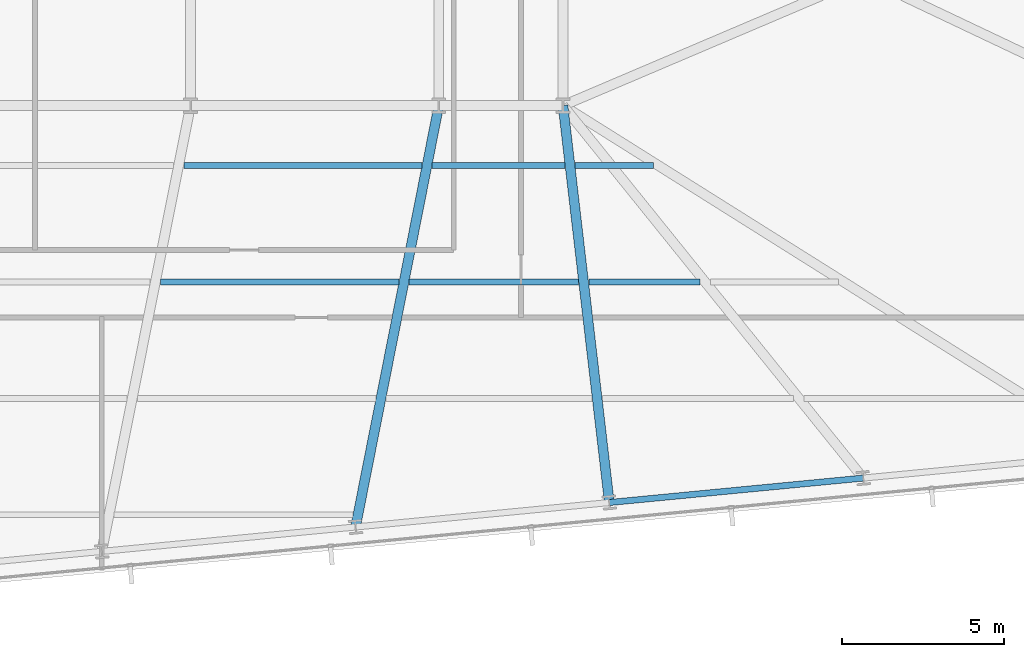
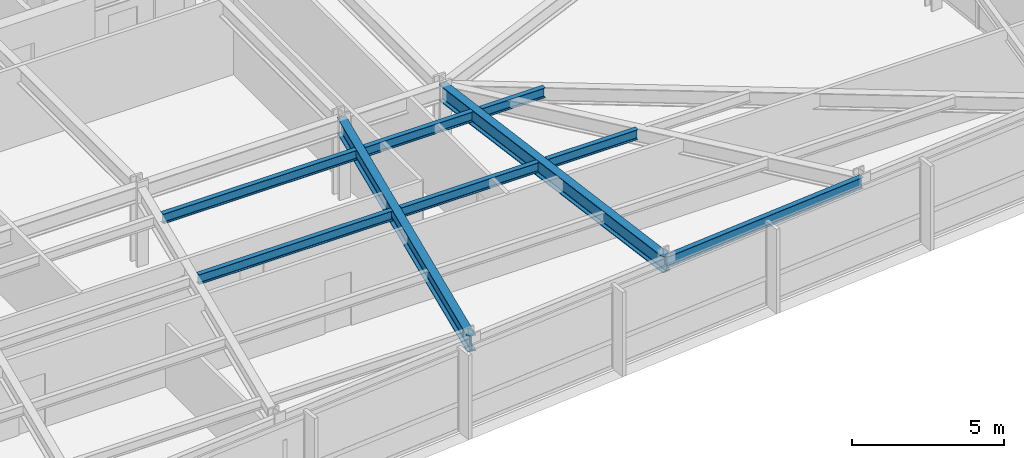
# One storey, part 12 of 33: 9 beams.
"""IFC4 building model written with IfcOpenShell, lengths in metres."""

from ifc_helpers import new_model, si_unit, direction, frame, origin, origin_2d, place, context, subcontext, project, spatial, i_section, extrude, material, material_profile, profile_set, type_object, element, save


model = new_model("IFC4")

# Units and contexts
model_context = context("Model", 3, precision=1e-05, world=origin(), true_north=direction((0.0, 1.0)))
body_context = subcontext(model_context, "Body", "Model", "MODEL_VIEW")
ifc_project = project(units=[si_unit("LENGTHUNIT", "METRE"), si_unit("AREAUNIT", "SQUARE_METRE"), si_unit("VOLUMEUNIT", "CUBIC_METRE"), si_unit("PLANEANGLEUNIT", "RADIAN"), si_unit("MASSUNIT", "GRAM", prefix="KILO")], contexts=[model_context])

# Site, building, storey
site_placement = place(None, origin())
site = spatial("IfcSite", under=ifc_project, at=site_placement, CompositionType="ELEMENT")
building_placement = place(site_placement, origin())
building = spatial("IfcBuilding", under=site, at=building_placement, Name="Yelkora Congress Tower", CompositionType="ELEMENT")
storey_placement = place(building_placement, frame((0.0, 0.0, 89.699951171875)))
storey = spatial("IfcBuildingStorey", under=building, at=storey_placement, Name="L23", CompositionType="ELEMENT", Elevation=89.699951171875)

# Beams
ifc_material = material(Name="Steel S355J2", Category="steel")
ifc_material_profile_1 = material_profile(ifc_material, i_section(OverallWidth=0.300048828125, OverallDepth=0.64990234375, WebThickness=0.01611328125, FlangeThickness=0.031005859375, FilletRadius=0.027099609375, at=origin_2d()), Name="HEB 650")
ifc_profile_set_1 = profile_set([ifc_material_profile_1], Name="Steel S355J2")
beam_type_1 = type_object("IfcBeamType", Name="BM-GIRD-HEB650", PredefinedType="BEAM", material=ifc_profile_set_1)
beam_1_placement = place(storey_placement, frame((51.18359375, 12.16748046875, 2.85498046875), z_axis=(0.193938615251, 0.981013666324, 0.0), x_axis=(-0.981013666324, 0.193938615251, 0.0)))
element("IfcBeam", 1, at=beam_1_placement, inside=storey, type_object=beam_type_1, Name="L23 Primary Frame Girder S05", PredefinedType="BEAM", context=body_context, shape_type="SweptSolid", body=[
    extrude(i_section(OverallWidth=0.300048828125, OverallDepth=0.64990234375, WebThickness=0.01611328125, FlangeThickness=0.031005859375, FilletRadius=0.027099609375, at=origin_2d()), origin(), (0.0, 0.0, 1.0), 13.28466796875),
])
beam_2_placement = place(storey_placement, frame((59.033203125, 12.92333984375, 2.85498046875), z_axis=(-0.115947280821, 0.993255369011, 0.0), x_axis=(-0.993255369011, -0.115947280821, 0.0)))
element("IfcBeam", 2, at=beam_2_placement, inside=storey, type_object=beam_type_1, Name="L23 Primary Frame Girder S06", PredefinedType="BEAM", context=body_context, shape_type="SweptSolid", body=[
    extrude(i_section(OverallWidth=0.300048828125, OverallDepth=0.64990234375, WebThickness=0.01611328125, FlangeThickness=0.031005859375, FilletRadius=0.027099609375, at=origin_2d()), origin(), (0.0, 0.0, 1.0), 12.35986328125),
])
ifc_material_profile_2 = material_profile(ifc_material, i_section(OverallWidth=0.179931640625, OverallDepth=0.39990234375, WebThickness=0.008544921875, FlangeThickness=0.013427734375, FilletRadius=0.02099609375, at=origin_2d()), Name="IPE 400")
ifc_profile_set_2 = profile_set([ifc_material_profile_2], Name="Steel S355J2")
beam_type_2 = type_object("IfcBeamType", Name="BM-JOIST-IPE400", PredefinedType="JOIST", material=ifc_profile_set_2)
beam_3_placement = place(storey_placement, frame((45.153564453125, 19.744384765625, 2.97998046875), z_axis=(1.0, 0.0, 0.0), x_axis=(0.0, 1.0, 0.0)))
element("IfcBeam", 3, at=beam_3_placement, inside=storey, type_object=beam_type_2, Name="L23 Composite Floor Joist 14", PredefinedType="JOIST", context=body_context, shape_type="SweptSolid", body=[
    extrude(i_section(OverallWidth=0.179931640625, OverallDepth=0.39990234375, WebThickness=0.008544921875, FlangeThickness=0.013427734375, FilletRadius=0.02099609375, at=origin_2d()), origin(), (0.0, 0.0, 1.0), 7.367919921875),
])
beam_4_placement = place(storey_placement, frame((52.841552734375, 19.744384765625, 2.97998046875), z_axis=(1.0, 0.0, 0.0), x_axis=(0.0, 1.0, 0.0)))
element("IfcBeam", 4, at=beam_4_placement, inside=storey, type_object=beam_type_2, Name="L23 Composite Floor Joist 15", PredefinedType="JOIST", context=body_context, shape_type="SweptSolid", body=[
    extrude(i_section(OverallWidth=0.179931640625, OverallDepth=0.39990234375, WebThickness=0.008544921875, FlangeThickness=0.013427734375, FilletRadius=0.02099609375, at=origin_2d()), origin(), (0.0, 0.0, 1.0), 5.2353515625),
])
beam_5_placement = place(storey_placement, frame((58.39697265625, 19.744384765625, 2.97998046875), z_axis=(1.0, 0.0, 0.0), x_axis=(0.0, 1.0, 0.0)))
element("IfcBeam", 5, at=beam_5_placement, inside=storey, type_object=beam_type_2, Name="L23 Composite Floor Joist 16", PredefinedType="JOIST", context=body_context, shape_type="SweptSolid", body=[
    extrude(i_section(OverallWidth=0.179931640625, OverallDepth=0.39990234375, WebThickness=0.008544921875, FlangeThickness=0.013427734375, FilletRadius=0.02099609375, at=origin_2d()), origin(), (0.0, 0.0, 1.0), 3.438720703125),
])
beam_6_placement = place(storey_placement, frame((45.87060546875, 23.344482421875, 2.97998046875), z_axis=(1.0, 0.0, 0.0), x_axis=(0.0, 1.0, 0.0)))
element("IfcBeam", 6, at=beam_6_placement, inside=storey, type_object=beam_type_2, Name="L23 Composite Floor Joist 21", PredefinedType="JOIST", context=body_context, shape_type="SweptSolid", body=[
    extrude(i_section(OverallWidth=0.179931640625, OverallDepth=0.39990234375, WebThickness=0.008544921875, FlangeThickness=0.013427734375, FilletRadius=0.02099609375, at=origin_2d()), origin(), (0.0, 0.0, 1.0), 7.362548828125),
])
beam_7_placement = place(storey_placement, frame((53.55322265625, 23.344482421875, 2.97998046875), z_axis=(1.0, 0.0, 0.0), x_axis=(0.0, 1.0, 0.0)))
element("IfcBeam", 7, at=beam_7_placement, inside=storey, type_object=beam_type_2, Name="L23 Composite Floor Joist 22", PredefinedType="JOIST", context=body_context, shape_type="SweptSolid", body=[
    extrude(i_section(OverallWidth=0.179931640625, OverallDepth=0.39990234375, WebThickness=0.008544921875, FlangeThickness=0.013427734375, FilletRadius=0.02099609375, at=origin_2d()), origin(), (0.0, 0.0, 1.0), 4.103271484375),
])
beam_8_placement = place(storey_placement, frame((57.9765625, 23.344482421875, 2.97998046875), z_axis=(1.0, 0.0, 0.0), x_axis=(0.0, 1.0, 0.0)))
element("IfcBeam", 8, at=beam_8_placement, inside=storey, type_object=beam_type_2, Name="L23 Composite Floor Joist 23", PredefinedType="JOIST", context=body_context, shape_type="SweptSolid", body=[
    extrude(i_section(OverallWidth=0.179931640625, OverallDepth=0.39990234375, WebThickness=0.008544921875, FlangeThickness=0.013427734375, FilletRadius=0.02099609375, at=origin_2d()), origin(), (0.0, 0.0, 1.0), 2.41650390625),
])
ifc_material_profile_3 = material_profile(ifc_material, i_section(OverallWidth=0.18994140625, OverallDepth=0.449951171875, WebThickness=0.009521484375, FlangeThickness=0.0146484375, FilletRadius=0.02099609375, at=origin_2d()), Name="IPE 450")
ifc_profile_set_3 = profile_set([ifc_material_profile_3], Name="Steel S355J2")
beam_type_3 = type_object("IfcBeamType", Name="BM-SPAN-IPE450", PredefinedType="SPANDREL", material=ifc_profile_set_3)
beam_9_placement = place(storey_placement, frame((59.033203125, 12.92333984375, 2.955078125), z_axis=(0.995395575667, 0.095852219286, 0.0), x_axis=(-0.095852219286, 0.995395575667, 0.0)))
element("IfcBeam", 9, at=beam_9_placement, inside=storey, type_object=beam_type_3, Name="L23 Perimeter Beam 8", PredefinedType="SPANDREL", context=body_context, shape_type="SweptSolid", body=[
    extrude(i_section(OverallWidth=0.18994140625, OverallDepth=0.449951171875, WebThickness=0.009521484375, FlangeThickness=0.0146484375, FilletRadius=0.02099609375, at=origin_2d()), origin(), (0.0, 0.0, 1.0), 7.8857421875),
])

save(model, "model.ifc")
